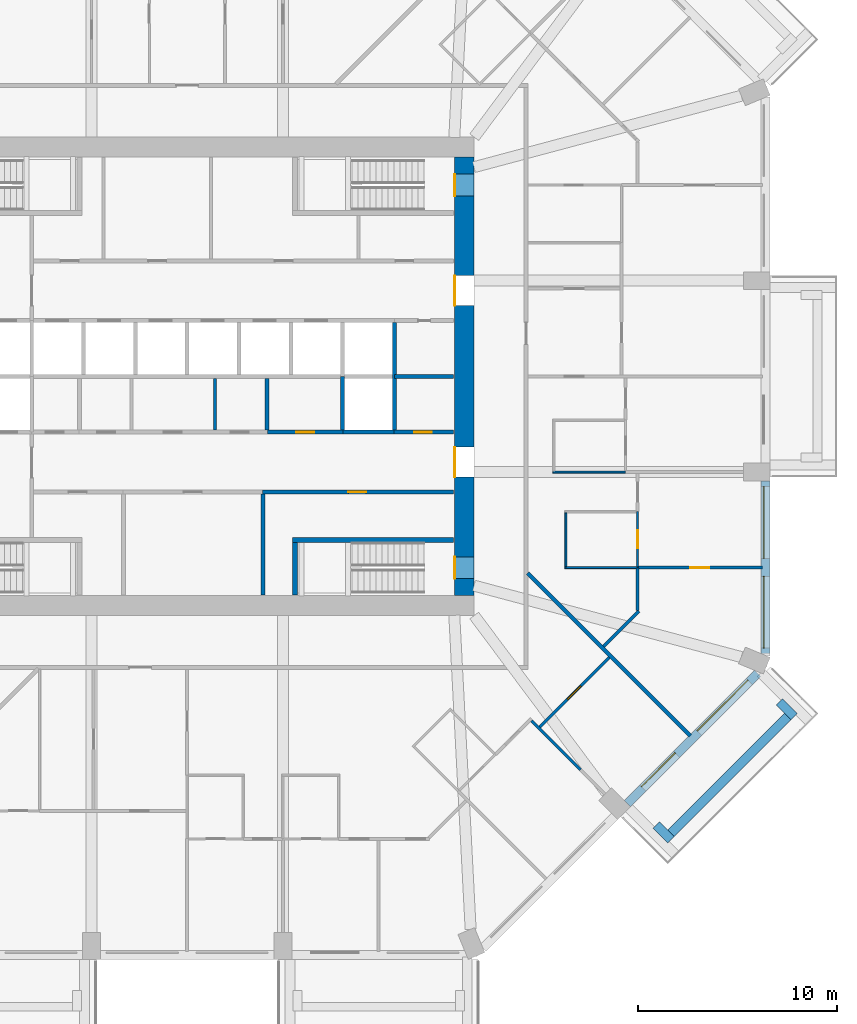
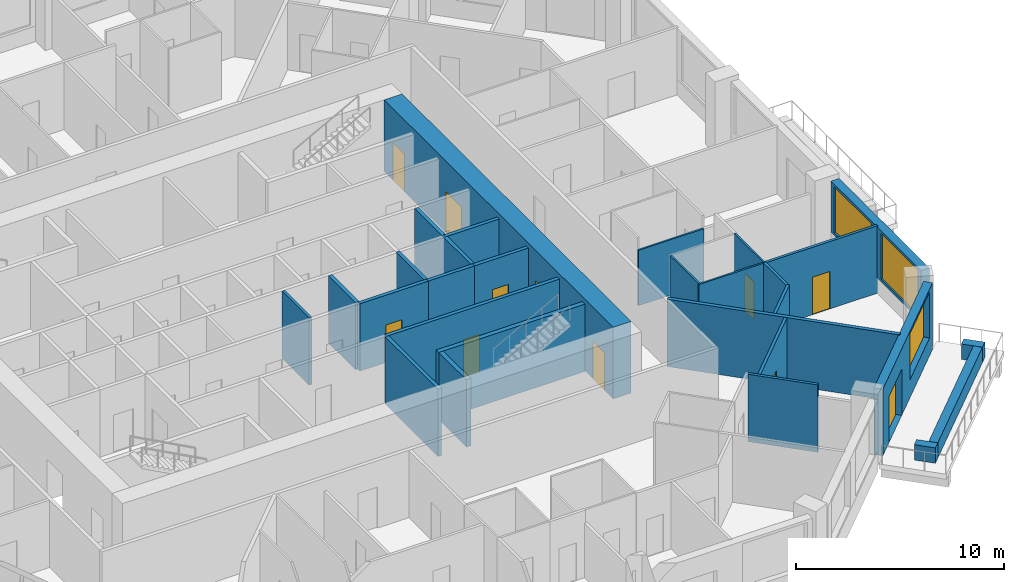
# One storey, part 6 of 13: 28 walls, 11 doors, 3 windows, 14 openings.
"""IFC4 building model written with IfcOpenShell, lengths in metres."""

from ifc_helpers import new_model, si_unit, direction, frame, frame_2d, origin, place, context, subcontext, project, spatial, rectangle, extrude, material, layer, layer_set, type_object, element, fill, save


model = new_model("IFC4")

# Units and contexts
model_context = context("Model", 3, precision=1e-05, world=origin(), true_north=direction((0.0, 1.0)))
body_context = subcontext(model_context, "Body", "Model", "MODEL_VIEW")
ifc_project = project(units=[si_unit("LENGTHUNIT", "METRE"), si_unit("AREAUNIT", "SQUARE_METRE"), si_unit("VOLUMEUNIT", "CUBIC_METRE"), si_unit("PLANEANGLEUNIT", "RADIAN"), si_unit("MASSUNIT", "GRAM", prefix="KILO")], contexts=[model_context])

# Site, building, storey
site_placement = place(None, origin())
site = spatial("IfcSite", under=ifc_project, at=site_placement, CompositionType="ELEMENT")
building_placement = place(site_placement, origin())
building = spatial("IfcBuilding", under=site, at=building_placement, Name="Msitu Wima Residences", CompositionType="ELEMENT")
storey_placement = place(building_placement, frame((0.0, 0.0, 75.89990234375)))
storey = spatial("IfcBuildingStorey", under=building, at=storey_placement, Name="L17", CompositionType="ELEMENT", Elevation=75.89990234375)

# Walls
ifc_material_1 = material(Name="Facing brick")
ifc_layer_1 = layer(ifc_material_1, 0.06494140625, Name="Facing brick")
ifc_material_2 = material(Name="Concrete C40/50", Category="concrete")
ifc_layer_2 = layer(ifc_material_2, 0.156005859375, Name="Concrete C40/50")
ifc_material_3 = material(Name="Waterproofing membrane")
ifc_layer_3 = layer(ifc_material_3, 0.00390625, Name="Waterproofing membrane")
ifc_material_4 = material(Name="Planting soil and planting")
ifc_layer_4 = layer(ifc_material_4, 0.22509765625, Name="Planting soil and planting")
ifc_layer_set_1 = layer_set([ifc_layer_1, ifc_layer_2, ifc_layer_3, ifc_layer_4], Name="Concrete C40/50")
wall_type_1 = type_object("IfcWallType", Name="Balcony planter PLANTER PL450", PredefinedType="USERDEFINED", material=ifc_layer_set_1)
wall_1_placement = place(storey_placement, frame((24.269287109375, -22.92578125, 0.0), z_axis=(0.0, 0.0, 1.0), x_axis=(0.707106781187, 0.707106781187, 0.0)))
element("IfcWall", 1, at=wall_1_placement, inside=storey, type_object=wall_type_1, Name="Balcony planter SE1 L17", ObjectType="PLANTER", PredefinedType="USERDEFINED", context=body_context, shape_type="SweptSolid", body=[
    extrude(rectangle(XDim=8.2822265625, YDim=0.449951171875, at=frame_2d((4.14111328125, 0.0))), origin(), (0.0, 0.0, 1.0), 0.900146484375),
])
for number, where, z_axis, x_axis, name in (
    (2, (23.52685546875, -22.50146484375, 0.0), (0.0, 0.0, 1.0), (0.706990528533, -0.707223014731, 0.0), "Balcony planter SE1 L17"),
    (3, (29.70166015625, -16.326904296875, 0.0), (0.0, 0.0, 1.0), (0.707106781187, -0.707106781187, 0.0), "Balcony planter SE1 L17"),
):
    element("IfcWall", number, at=place(storey_placement, frame(where, z_axis=z_axis, x_axis=x_axis)), inside=storey, type_object=wall_type_1, Name=name, ObjectType="PLANTER", PredefinedType="USERDEFINED", context=body_context, shape_type="SweptSolid", body=[
        extrude(rectangle(XDim=1.050048828125, YDim=0.449951171875, at=frame_2d((0.52490234375, 0.0))), origin(), (0.0, 0.0, 1.0), 0.900146484375),
    ])

# Wall, openings, windows
ifc_material_5 = material(Name="Brick (red buff mix)", Category="masonry")
ifc_layer_5 = layer(ifc_material_5, 0.449951171875)
ifc_layer_set_2 = layer_set([ifc_layer_5], Name="Brick (red buff mix)")
wall_type_2 = type_object("IfcWallType", Name="Brick infill wall BW450", PredefinedType="SOLIDWALL", material=ifc_layer_set_2)
wall_2_placement = place(storey_placement, frame((29.02490234375, -13.912841796875, 0.900146484375), z_axis=(0.0, 0.0, 1.0), x_axis=(0.0, 1.0, 0.0)))
wall_2 = element("IfcWall", 4, at=wall_2_placement, inside=storey, type_object=wall_type_2, Name="Brick infill wall L17 E0", PredefinedType="SOLIDWALL", context=body_context, shape_type="SweptSolid", body=[
    extrude(rectangle(XDim=8.662841796875, YDim=0.449951171875, at=frame_2d((4.33154296875, 0.0))), origin(), (0.0, 0.0, 1.0), 3.0),
])
opening_1_placement = place(wall_2_placement, frame((0.281494140625, 0.0, 0.14990234375)))
opening_1 = element("IfcOpeningElement", 5, at=opening_1_placement, cuts=wall_2, Name="Opening W16-17.001", PredefinedType="OPENING", context=body_context, shape_type="SweptSolid", body=[
    extrude(rectangle(XDim=3.60009765625, YDim=2.699951171875, at=frame_2d((1.800048828125, 1.35009765625))), frame((0.0, 0.23486328125, 0.0), z_axis=(0.0, -1.0, 0.0), x_axis=(1.0, 0.0, 0.0)), (0.0, 0.0, 1.0), 0.469970703125),
])
opening_2_placement = place(wall_2_placement, frame((4.781494140625, 0.0, 0.14990234375)))
opening_2 = element("IfcOpeningElement", 6, at=opening_2_placement, cuts=wall_2, Name="Opening W16-17.002", PredefinedType="OPENING", context=body_context, shape_type="SweptSolid", body=[
    extrude(rectangle(XDim=3.60009765625, YDim=2.699951171875, at=frame_2d((1.800048828125, 1.35009765625))), frame((0.0, 0.23486328125, 0.0), z_axis=(0.0, -1.0, 0.0), x_axis=(1.0, 0.0, 0.0)), (0.0, 0.0, 1.0), 0.469970703125),
])
ifc_material_6 = material(Name="Anodised aluminium, bronze finish, clear low-emissivity double glazing", Category="aluminium")
window_type = type_object("IfcWindowType", Name="Window W3600x2700", PartitioningType="DOUBLE_PANEL_VERTICAL", PredefinedType="WINDOW", material=ifc_material_6)
window_1_placement = place(opening_1_placement, origin())
window_1 = element("IfcWindow", 7, at=window_1_placement, inside=storey, type_object=window_type, Name="Window L17 E0.1", OverallHeight=2.699951171875, OverallWidth=3.60009765625, PartitioningType="SINGLE_PANEL", PredefinedType="WINDOW", context=body_context, shape_type="SweptSolid", body=[
    extrude(rectangle(XDim=3.60009765625, YDim=2.699951171875, at=frame_2d((1.800048828125, 1.35009765625))), frame((0.0, 0.135009765625, 0.0), z_axis=(0.0, -1.0, 0.0), x_axis=(1.0, 0.0, 0.0)), (0.0, 0.0, 1.0), 0.06005859375),
])
fill(opening_1, window_1)
window_2_placement = place(opening_2_placement, origin())
window_2 = element("IfcWindow", 8, at=window_2_placement, inside=storey, type_object=window_type, Name="Window L17 E0.2", OverallHeight=2.699951171875, OverallWidth=3.60009765625, PartitioningType="SINGLE_PANEL", PredefinedType="WINDOW", context=body_context, shape_type="SweptSolid", body=[
    extrude(rectangle(XDim=3.60009765625, YDim=2.699951171875, at=frame_2d((1.800048828125, 1.35009765625))), frame((0.0, 0.135009765625, 0.0), z_axis=(0.0, -1.0, 0.0), x_axis=(1.0, 0.0, 0.0)), (0.0, 0.0, 1.0), 0.06005859375),
])
fill(opening_2, window_2)

# Wall, openings, door, window
wall_3_placement = place(storey_placement, frame((22.077392578125, -21.44091796875, 0.0), z_axis=(0.0, 0.0, 1.0), x_axis=(0.707106781187, 0.707106781187, 0.0)))
wall_3 = element("IfcWall", 9, at=wall_3_placement, inside=storey, type_object=wall_type_2, Name="Brick infill wall L17 SE1", PredefinedType="SOLIDWALL", context=body_context, shape_type="SweptSolid", body=[
    extrude(rectangle(XDim=9.2451171875, YDim=0.449951171875, at=frame_2d((4.62255859375, 0.0))), origin(), (0.0, 0.0, 1.0), 3.900146484375),
])
opening_3_placement = place(wall_3_placement, frame((1.111328125, 0.0, 0.0)))
opening_3 = element("IfcOpeningElement", 10, at=opening_3_placement, cuts=wall_3, Name="Opening D16-17.008", PredefinedType="OPENING", context=body_context, shape_type="SweptSolid", body=[
    extrude(rectangle(XDim=2.39990234375, YDim=2.699951171875, at=frame_2d((1.199951171875, 1.35009765625))), frame((0.0, 0.23486328125, 0.0), z_axis=(0.0, -1.0, 0.0), x_axis=(1.0, 0.0, 0.0)), (0.0, 0.0, 1.0), 0.469970703125),
])
opening_4_placement = place(wall_3_placement, frame((5.072509765625, 0.0, 1.050048828125)))
opening_4 = element("IfcOpeningElement", 11, at=opening_4_placement, cuts=wall_3, Name="Opening W16-17.022", PredefinedType="OPENING", context=body_context, shape_type="SweptSolid", body=[
    extrude(rectangle(XDim=3.60009765625, YDim=2.699951171875, at=frame_2d((1.800048828125, 1.35009765625))), frame((0.0, 0.23486328125, 0.0), z_axis=(0.0, -1.0, 0.0), x_axis=(1.0, 0.0, 0.0)), (0.0, 0.0, 1.0), 0.469970703125),
])
door_type_1 = type_object("IfcDoorType", Name="Balcony door D2400x2700", OperationType="SLIDING_TO_LEFT", PredefinedType="DOOR", material=ifc_material_6)
door_1_placement = place(opening_3_placement, origin())
door_1 = element("IfcDoor", 12, at=door_1_placement, inside=storey, type_object=door_type_1, Name="Balcony door L17 SE1", OperationType="SINGLE_SWING_LEFT", OverallHeight=2.699951171875, OverallWidth=2.39990234375, PredefinedType="DOOR", context=body_context, shape_type="SweptSolid", body=[
    extrude(rectangle(XDim=2.39990234375, YDim=2.699951171875, at=frame_2d((1.199951171875, 1.35009765625))), frame((0.0, 0.1298828125, 0.0), z_axis=(0.0, -1.0, 0.0), x_axis=(1.0, 0.0, 0.0)), (0.0, 0.0, 1.0), 0.050048828125),
])
fill(opening_3, door_1)
window_3_placement = place(opening_4_placement, origin())
window_3 = element("IfcWindow", 13, at=window_3_placement, inside=storey, type_object=window_type, Name="Window L17 SE1.2", OverallHeight=2.699951171875, OverallWidth=3.60009765625, PartitioningType="SINGLE_PANEL", PredefinedType="WINDOW", context=body_context, shape_type="SweptSolid", body=[
    extrude(rectangle(XDim=3.60009765625, YDim=2.699951171875, at=frame_2d((1.800048828125, 1.35009765625))), frame((0.0, 0.135009765625, 0.0), z_axis=(0.0, -1.0, 0.0), x_axis=(1.0, 0.0, 0.0)), (0.0, 0.0, 1.0), 0.06005859375),
])
fill(opening_4, window_3)

# Wall, openings, doors
ifc_material_7 = material(Name="Concrete C80/95", Category="concrete")
ifc_layer_6 = layer(ifc_material_7, 1.0)
ifc_layer_set_3 = layer_set([ifc_layer_6], Name="Concrete C80/95")
wall_type_3 = type_object("IfcWallType", Name="Core wall CW1000 C80/95", PredefinedType="SHEAR", material=ifc_layer_set_3)
wall_4_placement = place(storey_placement, frame((13.89990234375, -11.0, 0.0), z_axis=(0.0, 0.0, 1.0), x_axis=(0.0, 1.0, 0.0)))
wall_4 = element("IfcWall", 14, at=wall_4_placement, inside=storey, type_object=wall_type_3, Name="Core wall", PredefinedType="SHEAR", context=body_context, shape_type="SweptSolid", body=[
    extrude(rectangle(XDim=22.0, YDim=1.0, at=frame_2d((11.0, 0.0))), origin(), (0.0, 0.0, 1.0), 4.2001953125),
])
opening_5_placement = place(wall_4_placement, frame((20.050048828125, 0.0, 0.0)))
opening_5 = element("IfcOpeningElement", 15, at=opening_5_placement, cuts=wall_4, Name="Opening D16-17.040", PredefinedType="OPENING", context=body_context, shape_type="SweptSolid", body=[
    extrude(rectangle(XDim=1.10009765625, YDim=2.199951171875, at=frame_2d((0.550048828125, 1.10009765625))), frame((0.0, 0.510009765625, 0.0), z_axis=(0.0, -1.0, 0.0), x_axis=(1.0, 0.0, 0.0)), (0.0, 0.0, 1.0), 1.02001953125),
])
opening_6_placement = place(wall_4_placement, frame((0.85009765625, 0.0, 0.0)))
opening_6 = element("IfcOpeningElement", 16, at=opening_6_placement, cuts=wall_4, Name="Opening D16-17.041", PredefinedType="OPENING", context=body_context, shape_type="SweptSolid", body=[
    extrude(rectangle(XDim=1.10009765625, YDim=2.199951171875, at=frame_2d((0.550048828125, 1.10009765625))), frame((0.0, 0.510009765625, 0.0), z_axis=(0.0, -1.0, 0.0), x_axis=(1.0, 0.0, 0.0)), (0.0, 0.0, 1.0), 1.02001953125),
])
opening_7_placement = place(wall_4_placement, frame((14.550048828125, 0.0, 0.0)))
opening_7 = element("IfcOpeningElement", 17, at=opening_7_placement, cuts=wall_4, Name="Opening D16-17.027", PredefinedType="OPENING", context=body_context, shape_type="SweptSolid", body=[
    extrude(rectangle(XDim=1.5, YDim=2.39990234375, at=frame_2d((0.75, 1.199951171875))), frame((0.0, 0.510009765625, 0.0), z_axis=(0.0, -1.0, 0.0), x_axis=(1.0, 0.0, 0.0)), (0.0, 0.0, 1.0), 1.02001953125),
])
opening_8_placement = place(wall_4_placement, frame((5.949951171875, 0.0, 0.0)))
opening_8 = element("IfcOpeningElement", 18, at=opening_8_placement, cuts=wall_4, Name="Opening D16-17.028", PredefinedType="OPENING", context=body_context, shape_type="SweptSolid", body=[
    extrude(rectangle(XDim=1.5, YDim=2.39990234375, at=frame_2d((0.75, 1.199951171875))), frame((0.0, 0.510009765625, 0.0), z_axis=(0.0, -1.0, 0.0), x_axis=(1.0, 0.0, 0.0)), (0.0, 0.0, 1.0), 1.02001953125),
])
ifc_material_8 = material(Name="Steel framed glazed door, fire resisting", Category="steel")
door_type_2 = type_object("IfcDoorType", Name="Lobby door D07 1500x2400", OperationType="DOUBLE_DOOR_SINGLE_SWING", PredefinedType="DOOR", material=ifc_material_8)
door_2_placement = place(opening_7_placement, origin())
door_2 = element("IfcDoor", 19, at=door_2_placement, inside=storey, type_object=door_type_2, Name="Lobby door", OperationType="DOUBLE_DOOR_SINGLE_SWING", OverallHeight=2.39990234375, OverallWidth=1.5, PredefinedType="DOOR", context=body_context, shape_type="SweptSolid", body=[
    extrude(rectangle(XDim=1.5, YDim=2.39990234375, at=frame_2d((0.75, 1.199951171875))), frame((0.0, 0.4951171875, 0.0), z_axis=(0.0, -1.0, 0.0), x_axis=(1.0, 0.0, 0.0)), (0.0, 0.0, 1.0), 0.050048828125),
])
fill(opening_7, door_2)
door_3_placement = place(opening_8_placement, origin())
door_3 = element("IfcDoor", 20, at=door_3_placement, inside=storey, type_object=door_type_2, Name="Lobby door", OperationType="DOUBLE_DOOR_SINGLE_SWING", OverallHeight=2.39990234375, OverallWidth=1.5, PredefinedType="DOOR", context=body_context, shape_type="SweptSolid", body=[
    extrude(rectangle(XDim=1.5, YDim=2.39990234375, at=frame_2d((0.75, 1.199951171875))), frame((0.0, 0.4951171875, 0.0), z_axis=(0.0, -1.0, 0.0), x_axis=(1.0, 0.0, 0.0)), (0.0, 0.0, 1.0), 0.050048828125),
])
fill(opening_8, door_3)
ifc_material_9 = material(Name="Steel door, fire resisting, panic bar", Category="steel")
door_type_3 = type_object("IfcDoorType", Name="Stair door D06 1100x2200", OperationType="SINGLE_SWING_LEFT", PredefinedType="DOOR", material=ifc_material_9)
door_4_placement = place(opening_5_placement, origin())
door_4 = element("IfcDoor", 21, at=door_4_placement, inside=storey, type_object=door_type_3, Name="Stair door", OperationType="SINGLE_SWING_LEFT", OverallHeight=2.199951171875, OverallWidth=1.10009765625, PredefinedType="DOOR", context=body_context, shape_type="SweptSolid", body=[
    extrude(rectangle(XDim=1.10009765625, YDim=2.199951171875, at=frame_2d((0.550048828125, 1.10009765625))), frame((0.0, 0.4951171875, 0.0), z_axis=(0.0, -1.0, 0.0), x_axis=(1.0, 0.0, 0.0)), (0.0, 0.0, 1.0), 0.050048828125),
])
fill(opening_5, door_4)
door_5_placement = place(opening_6_placement, origin())
door_5 = element("IfcDoor", 22, at=door_5_placement, inside=storey, type_object=door_type_3, Name="Stair door", OperationType="SINGLE_SWING_RIGHT", OverallHeight=2.199951171875, OverallWidth=1.10009765625, PredefinedType="DOOR", context=body_context, shape_type="SweptSolid", body=[
    extrude(rectangle(XDim=1.10009765625, YDim=2.199951171875, at=frame_2d((0.550048828125, 1.10009765625))), frame((0.0, 0.4951171875, 0.0), z_axis=(0.0, -1.0, 0.0), x_axis=(1.0, 0.0, 0.0)), (0.0, 0.0, 1.0), 0.050048828125),
])
fill(opening_6, door_5)

# Wall, opening, door
ifc_material_10 = material(Name="Plaster")
ifc_layer_7 = layer(ifc_material_10, 0.011962890625, Name="Plaster")
ifc_material_11 = material(Name="Concrete blockwork", Category="masonry")
ifc_layer_8 = layer(ifc_material_11, 0.176025390625, Name="Concrete blockwork")
ifc_layer_9 = layer(ifc_material_10, 0.011962890625, Name="Plaster")
ifc_layer_set_4 = layer_set([ifc_layer_7, ifc_layer_8, ifc_layer_9], Name="Concrete blockwork")
wall_type_4 = type_object("IfcWallType", Name="Corridor wall FW200", PredefinedType="PARTITIONING", material=ifc_layer_set_4)
wall_5_placement = place(storey_placement, frame((3.780029296875, -5.800048828125, 0.0), z_axis=(0.0, 0.0, 1.0), x_axis=(1.0, 0.0, 0.0)))
wall_5 = element("IfcWall", 23, at=wall_5_placement, inside=storey, type_object=wall_type_4, Name="Corridor wall", PredefinedType="PARTITIONING", context=body_context, shape_type="SweptSolid", body=[
    extrude(rectangle(XDim=9.590087890625, YDim=0.199951171875, at=frame_2d((4.794921875, 0.0))), origin(), (0.0, 0.0, 1.0), 3.9501953125),
])
opening_9_placement = place(wall_5_placement, frame((4.300048828125, 0.0, 0.0)))
opening_9 = element("IfcOpeningElement", 24, at=opening_9_placement, cuts=wall_5, Name="Opening D16-17.026", PredefinedType="OPENING", context=body_context, shape_type="SweptSolid", body=[
    extrude(rectangle(XDim=0.89990234375, YDim=2.199951171875, at=frame_2d((0.449951171875, 1.10009765625))), frame((0.0, 0.10986328125, 0.0), z_axis=(0.0, -1.0, 0.0), x_axis=(1.0, 0.0, 0.0)), (0.0, 0.0, 1.0), 0.219970703125),
])
ifc_material_12 = material(Name="Timber flush door", Category="wood")
door_type_4 = type_object("IfcDoorType", Name="Service door D05 900x2200", OperationType="SINGLE_SWING_LEFT", PredefinedType="DOOR", material=ifc_material_12)
door_6_placement = place(opening_9_placement, origin())
door_6 = element("IfcDoor", 25, at=door_6_placement, inside=storey, type_object=door_type_4, Name="Service door", OperationType="SINGLE_SWING_RIGHT", OverallHeight=2.199951171875, OverallWidth=0.89990234375, PredefinedType="DOOR", context=body_context, shape_type="SweptSolid", body=[
    extrude(rectangle(XDim=0.89990234375, YDim=2.199951171875, at=frame_2d((0.449951171875, 1.10009765625))), frame((0.0, 0.02490234375, 0.0), z_axis=(0.0, -1.0, 0.0), x_axis=(1.0, 0.0, 0.0)), (0.0, 0.0, 1.0), 0.050048828125),
])
fill(opening_9, door_6)

# Walls
ifc_layer_10 = layer(ifc_material_10, 0.011962890625, Name="Plaster")
ifc_layer_11 = layer(ifc_material_11, 0.1259765625, Name="Concrete blockwork")
ifc_layer_12 = layer(ifc_material_10, 0.011962890625, Name="Plaster")
ifc_layer_set_5 = layer_set([ifc_layer_10, ifc_layer_11, ifc_layer_12], Name="Concrete blockwork")
wall_type_5 = type_object("IfcWallType", Name="Partition PW150", PredefinedType="PARTITIONING", material=ifc_layer_set_5)
wall_6_placement = place(storey_placement, frame((1.39990234375, -2.699951171875, 0.0), z_axis=(0.0, 0.0, 1.0), x_axis=(0.0, 1.0, 0.0)))
element("IfcWall", 26, at=wall_6_placement, inside=storey, type_object=wall_type_5, Name="Partition", PredefinedType="PARTITIONING", context=body_context, shape_type="SweptSolid", body=[
    extrude(rectangle(XDim=2.599853515625, YDim=0.14990234375, at=frame_2d((1.2998046875, 0.0))), origin(), (0.0, 0.0, 1.0), 3.9501953125),
])
wall_7_placement = place(storey_placement, frame((17.26904296875, -17.26904296875, 0.0), z_axis=(0.0, 0.0, 1.0), x_axis=(0.707106781187, -0.707106781187, 0.0)))
element("IfcWall", 27, at=wall_7_placement, inside=storey, type_object=wall_type_5, Name="Partition", PredefinedType="PARTITIONING", context=body_context, shape_type="SweptSolid", body=[
    extrude(rectangle(XDim=3.4765625, YDim=0.14990234375, at=frame_2d((1.73828125, 0.0))), origin(), (0.0, 0.0, 1.0), 3.9501953125),
])

# Wall, opening, door
wall_8_placement = place(storey_placement, frame((17.693115234375, -17.587158203125, 0.0), z_axis=(0.0, 0.0, 1.0), x_axis=(0.707106781187, 0.707106781187, 0.0)))
wall_8 = element("IfcWall", 28, at=wall_8_placement, inside=storey, type_object=wall_type_5, Name="Partition", PredefinedType="PARTITIONING", context=body_context, shape_type="SweptSolid", body=[
    extrude(rectangle(XDim=4.916259765625, YDim=0.14990234375, at=frame_2d((2.4580078125, 0.0))), origin(), (0.0, 0.0, 1.0), 3.9501953125),
])
opening_10_placement = place(wall_8_placement, frame((1.949951171875, 0.0, 0.0)))
opening_10 = element("IfcOpeningElement", 29, at=opening_10_placement, cuts=wall_8, Name="Opening D16-17.062", PredefinedType="OPENING", context=body_context, shape_type="SweptSolid", body=[
    extrude(rectangle(XDim=0.949951171875, YDim=2.199951171875, at=frame_2d((0.47509765625, 1.10009765625))), frame((0.0, 0.0849609375, 0.0), z_axis=(0.0, -1.0, 0.0), x_axis=(1.0, 0.0, 0.0)), (0.0, 0.0, 1.0), 0.169921875),
])
door_type_5 = type_object("IfcDoorType", Name="Room door D12 950x2200", OperationType="SINGLE_SWING_LEFT", PredefinedType="DOOR", material=ifc_material_12)
door_7_placement = place(opening_10_placement, origin())
door_7 = element("IfcDoor", 30, at=door_7_placement, inside=storey, type_object=door_type_5, Name="Room door", OperationType="SINGLE_SWING_RIGHT", OverallHeight=2.199951171875, OverallWidth=0.949951171875, PredefinedType="DOOR", context=body_context, shape_type="SweptSolid", body=[
    extrude(rectangle(XDim=0.949951171875, YDim=2.199951171875, at=frame_2d((0.47509765625, 1.10009765625))), frame((0.0, 0.02490234375, 0.0), z_axis=(0.0, -1.0, 0.0), x_axis=(1.0, 0.0, 0.0)), (0.0, 0.0, 1.0), 0.050048828125),
])
fill(opening_10, door_7)

# Wall
wall_9_placement = place(storey_placement, frame((20.88671875, -13.545166015625, 0.0), z_axis=(0.0, 0.0, 1.0), x_axis=(0.707106781187, 0.707106781187, 0.0)))
element("IfcWall", 31, at=wall_9_placement, inside=storey, type_object=wall_type_5, Name="Partition", PredefinedType="PARTITIONING", context=body_context, shape_type="SweptSolid", body=[
    extrude(rectangle(XDim=2.498046875, YDim=0.14990234375, at=frame_2d((1.2490234375, 0.0))), origin(), (0.0, 0.0, 1.0), 3.9501953125),
])

# Wall, opening, door
wall_10_placement = place(storey_placement, frame((22.580078125, -9.60009765625, 0.0), z_axis=(0.0, 0.0, 1.0), x_axis=(1.0, 0.0, 0.0)))
wall_10 = element("IfcWall", 32, at=wall_10_placement, inside=storey, type_object=wall_type_5, Name="Partition", PredefinedType="PARTITIONING", context=body_context, shape_type="SweptSolid", body=[
    extrude(rectangle(XDim=6.27490234375, YDim=0.14990234375, at=frame_2d((3.137451171875, 0.0))), origin(), (0.0, 0.0, 1.0), 3.9501953125),
])
opening_11_placement = place(wall_10_placement, frame((2.64990234375, 0.0, 0.0)))
opening_11 = element("IfcOpeningElement", 33, at=opening_11_placement, cuts=wall_10, Name="Opening D16-17.084", PredefinedType="OPENING", context=body_context, shape_type="SweptSolid", body=[
    extrude(rectangle(XDim=0.949951171875, YDim=2.199951171875, at=frame_2d((0.47509765625, 1.10009765625))), frame((0.0, 0.0849609375, 0.0), z_axis=(0.0, -1.0, 0.0), x_axis=(1.0, 0.0, 0.0)), (0.0, 0.0, 1.0), 0.169921875),
])
door_8_placement = place(opening_11_placement, origin())
door_8 = element("IfcDoor", 34, at=door_8_placement, inside=storey, type_object=door_type_5, Name="Room door", OperationType="SINGLE_SWING_RIGHT", OverallHeight=2.199951171875, OverallWidth=0.949951171875, PredefinedType="DOOR", context=body_context, shape_type="SweptSolid", body=[
    extrude(rectangle(XDim=0.949951171875, YDim=2.199951171875, at=frame_2d((0.47509765625, 1.10009765625))), frame((0.0, 0.02490234375, 0.0), z_axis=(0.0, -1.0, 0.0), x_axis=(1.0, 0.0, 0.0)), (0.0, 0.0, 1.0), 0.050048828125),
])
fill(opening_11, door_8)

# Walls
wall_11_placement = place(storey_placement, frame((22.60009765625, -11.7568359375, 0.0), z_axis=(0.0, 0.0, 1.0), x_axis=(0.0, 1.0, 0.0)))
element("IfcWall", 35, at=wall_11_placement, inside=storey, type_object=wall_type_5, Name="Partition", PredefinedType="PARTITIONING", context=body_context, shape_type="SweptSolid", body=[
    extrude(rectangle(XDim=2.13671875, YDim=0.14990234375, at=frame_2d((1.068359375, 0.0))), origin(), (0.0, 0.0, 1.0), 3.9501953125),
])
ifc_layer_13 = layer(ifc_material_10, 0.011962890625, Name="Plaster")
ifc_material_13 = material(Name="Dense concrete blockwork", Category="masonry")
ifc_layer_14 = layer(ifc_material_13, 0.176025390625, Name="Dense concrete blockwork")
ifc_layer_15 = layer(ifc_material_10, 0.011962890625, Name="Plaster")
ifc_layer_set_6 = layer_set([ifc_layer_13, ifc_layer_14, ifc_layer_15], Name="Dense concrete blockwork")
wall_type_6 = type_object("IfcWallType", Name="Party wall PW200", PredefinedType="PARTITIONING", material=ifc_layer_set_6)
wall_12_placement = place(storey_placement, frame((17.07080078125, -9.87060546875, 0.0), z_axis=(0.0, 0.0, 1.0), x_axis=(0.707096213553, -0.707117348662, 0.0)))
element("IfcWall", 36, at=wall_12_placement, inside=storey, type_object=wall_type_6, Name="Party wall", PredefinedType="PARTITIONING", context=body_context, shape_type="SweptSolid", body=[
    extrude(rectangle(XDim=11.551513671875, YDim=0.199951171875, at=frame_2d((5.77587890625, 0.0))), origin(), (0.0, 0.0, 1.0), 3.9501953125),
])
ifc_layer_16 = layer(ifc_material_10, 0.011962890625, Name="Plaster")
ifc_material_14 = material(Name="Reinforced concrete blockwork", Category="masonry")
ifc_layer_17 = layer(ifc_material_14, 0.176025390625, Name="Reinforced concrete blockwork")
ifc_layer_18 = layer(ifc_material_10, 0.011962890625, Name="Plaster")
ifc_layer_set_7 = layer_set([ifc_layer_16, ifc_layer_17, ifc_layer_18], Name="Reinforced concrete blockwork")
wall_type_7 = type_object("IfcWallType", Name="Plant and riser wall PL200", PredefinedType="PARTITIONING", material=ifc_layer_set_7)
wall_13_placement = place(storey_placement, frame((3.800048828125, -10.969970703125, 0.0), z_axis=(0.0, 0.0, 1.0), x_axis=(0.0, 1.0, 0.0)))
element("IfcWall", 37, at=wall_13_placement, inside=storey, type_object=wall_type_7, Name="Plant and riser wall", PredefinedType="PARTITIONING", context=body_context, shape_type="SweptSolid", body=[
    extrude(rectangle(XDim=5.070068359375, YDim=0.199951171875, at=frame_2d((2.53515625, 0.0))), origin(), (0.0, 0.0, 1.0), 3.9501953125),
])

# Wall, opening, door
wall_14_placement = place(storey_placement, frame((4.02001953125, -2.800048828125, 0.0), z_axis=(0.0, 0.0, 1.0), x_axis=(1.0, 0.0, 0.0)))
wall_14 = element("IfcWall", 38, at=wall_14_placement, inside=storey, type_object=wall_type_7, Name="Plant and riser wall", PredefinedType="PARTITIONING", context=body_context, shape_type="SweptSolid", body=[
    extrude(rectangle(XDim=3.800048828125, YDim=0.199951171875, at=frame_2d((1.89990234375, 0.0))), origin(), (0.0, 0.0, 1.0), 3.9501953125),
])
opening_12_placement = place(wall_14_placement, frame((1.449951171875, 0.0, 0.0)))
opening_12 = element("IfcOpeningElement", 39, at=opening_12_placement, cuts=wall_14, Name="Opening D16-17.035", PredefinedType="OPENING", context=body_context, shape_type="SweptSolid", body=[
    extrude(rectangle(XDim=0.89990234375, YDim=2.199951171875, at=frame_2d((0.449951171875, 1.10009765625))), frame((0.0, 0.10986328125, 0.0), z_axis=(0.0, -1.0, 0.0), x_axis=(1.0, 0.0, 0.0)), (0.0, 0.0, 1.0), 0.219970703125),
])
door_9_placement = place(opening_12_placement, origin())
door_9 = element("IfcDoor", 40, at=door_9_placement, inside=storey, type_object=door_type_4, Name="Service door", OperationType="SINGLE_SWING_RIGHT", OverallHeight=2.199951171875, OverallWidth=0.89990234375, PredefinedType="DOOR", context=body_context, shape_type="SweptSolid", body=[
    extrude(rectangle(XDim=0.89990234375, YDim=2.199951171875, at=frame_2d((0.449951171875, 1.10009765625))), frame((0.0, 0.02490234375, 0.0), z_axis=(0.0, -1.0, 0.0), x_axis=(1.0, 0.0, 0.0)), (0.0, 0.0, 1.0), 0.050048828125),
])
fill(opening_12, door_9)

# Wall
wall_15_placement = place(storey_placement, frame((4.0, -2.699951171875, 0.0), z_axis=(0.0, 0.0, 1.0), x_axis=(0.0, 1.0, 0.0)))
element("IfcWall", 41, at=wall_15_placement, inside=storey, type_object=wall_type_7, Name="Plant and riser wall", PredefinedType="PARTITIONING", context=body_context, shape_type="SweptSolid", body=[
    extrude(rectangle(XDim=2.599853515625, YDim=0.199951171875, at=frame_2d((1.2998046875, 0.0))), origin(), (0.0, 0.0, 1.0), 3.9501953125),
])

# Wall, opening, door
wall_16_placement = place(storey_placement, frame((10.3798828125, -2.800048828125, 0.0), z_axis=(0.0, 0.0, 1.0), x_axis=(1.0, 0.0, 0.0)))
wall_16 = element("IfcWall", 42, at=wall_16_placement, inside=storey, type_object=wall_type_7, Name="Plant and riser wall", PredefinedType="PARTITIONING", context=body_context, shape_type="SweptSolid", body=[
    extrude(rectangle(XDim=2.990234375, YDim=0.199951171875, at=frame_2d((1.4951171875, 0.0))), origin(), (0.0, 0.0, 1.0), 3.9501953125),
])
opening_13_placement = place(wall_16_placement, frame((1.0, 0.0, 0.0)))
opening_13 = element("IfcOpeningElement", 43, at=opening_13_placement, cuts=wall_16, Name="Opening D16-17.015", PredefinedType="OPENING", context=body_context, shape_type="SweptSolid", body=[
    extrude(rectangle(XDim=0.89990234375, YDim=2.199951171875, at=frame_2d((0.449951171875, 1.10009765625))), frame((0.0, 0.10986328125, 0.0), z_axis=(0.0, -1.0, 0.0), x_axis=(1.0, 0.0, 0.0)), (0.0, 0.0, 1.0), 0.219970703125),
])
door_10_placement = place(opening_13_placement, origin())
door_10 = element("IfcDoor", 44, at=door_10_placement, inside=storey, type_object=door_type_4, Name="Service door", OperationType="SINGLE_SWING_LEFT", OverallHeight=2.199951171875, OverallWidth=0.89990234375, PredefinedType="DOOR", context=body_context, shape_type="SweptSolid", body=[
    extrude(rectangle(XDim=0.89990234375, YDim=2.199951171875, at=frame_2d((0.449951171875, 1.10009765625))), frame((0.0, 0.02490234375, 0.0), z_axis=(0.0, -1.0, 0.0), x_axis=(1.0, 0.0, 0.0)), (0.0, 0.0, 1.0), 0.050048828125),
])
fill(opening_13, door_10)

# Walls
wall_17_placement = place(storey_placement, frame((10.39990234375, 0.0, 0.0), z_axis=(0.0, 0.0, 1.0), x_axis=(1.0, 0.0, 0.0)))
element("IfcWall", 45, at=wall_17_placement, inside=storey, type_object=wall_type_7, Name="Plant and riser wall", PredefinedType="PARTITIONING", context=body_context, shape_type="SweptSolid", body=[
    extrude(rectangle(XDim=2.97021484375, YDim=0.199951171875, at=frame_2d((1.485107421875, 0.0))), origin(), (0.0, 0.0, 1.0), 3.9501953125),
])
ifc_material_15 = material(Name="Fire-rated board")
ifc_layer_19 = layer(ifc_material_15, 0.02490234375, Name="Fire-rated board")
ifc_material_16 = material(Name="Light-gauge stud framing with mineral wool")
ifc_layer_20 = layer(ifc_material_16, 0.14990234375, Name="Light-gauge stud framing with mineral wool")
ifc_layer_21 = layer(ifc_material_15, 0.02490234375, Name="Fire-rated board")
ifc_layer_set_8 = layer_set([ifc_layer_19, ifc_layer_20, ifc_layer_21], Name="Light-gauge stud framing with mineral wool")
wall_type_8 = type_object("IfcWallType", Name="Shaft wall SH200", PredefinedType="PARTITIONING", material=ifc_layer_set_8)
wall_18_placement = place(storey_placement, frame((7.800048828125, -2.699951171875, 0.0), z_axis=(0.0, 0.0, 1.0), x_axis=(0.0, 1.0, 0.0)))
element("IfcWall", 46, at=wall_18_placement, inside=storey, type_object=wall_type_8, Name="Shaft wall", PredefinedType="PARTITIONING", context=body_context, shape_type="SweptSolid", body=[
    extrude(rectangle(XDim=2.699951171875, YDim=0.199951171875, at=frame_2d((1.35009765625, 0.0))), origin(), (0.0, 0.0, 1.0), 3.9501953125),
])
wall_19_placement = place(storey_placement, frame((7.820068359375, -2.800048828125, 0.0), z_axis=(0.0, 0.0, 1.0), x_axis=(1.0, 0.0, 0.0)))
element("IfcWall", 47, at=wall_19_placement, inside=storey, type_object=wall_type_8, Name="Shaft wall", PredefinedType="PARTITIONING", context=body_context, shape_type="SweptSolid", body=[
    extrude(rectangle(XDim=2.559814453125, YDim=0.199951171875, at=frame_2d((1.27978515625, 0.0))), origin(), (0.0, 0.0, 1.0), 3.9501953125),
])
wall_20_placement = place(storey_placement, frame((10.39990234375, -2.699951171875, 0.0), z_axis=(0.0, 0.0, 1.0), x_axis=(0.0, 1.0, 0.0)))
element("IfcWall", 48, at=wall_20_placement, inside=storey, type_object=wall_type_8, Name="Shaft wall", PredefinedType="PARTITIONING", context=body_context, shape_type="SweptSolid", body=[
    extrude(rectangle(XDim=5.39990234375, YDim=0.199951171875, at=frame_2d((2.699951171875, 0.0))), origin(), (0.0, 0.0, 1.0), 3.9501953125),
])
ifc_material_17 = material(Name="Concrete C50/60", Category="concrete")
ifc_layer_22 = layer(ifc_material_17, 0.25)
ifc_layer_set_9 = layer_set([ifc_layer_22], Name="Concrete C50/60")
wall_type_9 = type_object("IfcWallType", Name="Stair enclosure wall SW250", PredefinedType="SHEAR", material=ifc_layer_set_9)
wall_21_placement = place(storey_placement, frame((5.39990234375, -10.969970703125, 0.0), z_axis=(0.0, 0.0, 1.0), x_axis=(0.0, 1.0, 0.0)))
element("IfcWall", 49, at=wall_21_placement, inside=storey, type_object=wall_type_9, Name="Stair enclosure wall", PredefinedType="SHEAR", context=body_context, shape_type="SweptSolid", body=[
    extrude(rectangle(XDim=2.64501953125, YDim=0.25, at=frame_2d((1.322509765625, 0.0))), origin(), (0.0, 0.0, 1.0), 3.9501953125),
])
wall_22_placement = place(storey_placement, frame((5.27490234375, -8.199951171875, 0.0), z_axis=(0.0, 0.0, 1.0), x_axis=(1.0, 0.0, 0.0)))
element("IfcWall", 50, at=wall_22_placement, inside=storey, type_object=wall_type_9, Name="Stair enclosure wall", PredefinedType="SHEAR", context=body_context, shape_type="SweptSolid", body=[
    extrude(rectangle(XDim=8.09521484375, YDim=0.25, at=frame_2d((4.047607421875, 0.0))), origin(), (0.0, 0.0, 1.0), 3.9501953125),
])
ifc_material_18 = material(Name="Ceramic tiles")
ifc_layer_23 = layer(ifc_material_18, 0.008056640625, Name="Ceramic tiles")
ifc_material_19 = material(Name="Moisture-resistant board")
ifc_layer_24 = layer(ifc_material_19, 0.012451171875, Name="Moisture-resistant board")
ifc_layer_25 = layer(ifc_material_16, 0.06689453125, Name="Light-gauge stud framing with mineral wool")
ifc_layer_26 = layer(ifc_material_19, 0.012451171875, Name="Moisture-resistant board")
ifc_layer_set_10 = layer_set([ifc_layer_23, ifc_layer_24, ifc_layer_25, ifc_layer_26], Name="Light-gauge stud framing with mineral wool")
wall_type_10 = type_object("IfcWallType", Name="Wet wall PW100", PredefinedType="PARTITIONING", material=ifc_layer_set_10)
wall_23_placement = place(storey_placement, frame((18.35009765625, -4.800048828125, 0.0), z_axis=(0.0, 0.0, 1.0), x_axis=(1.0, 0.0, 0.0)))
element("IfcWall", 51, at=wall_23_placement, inside=storey, type_object=wall_type_10, Name="Wet wall", PredefinedType="PARTITIONING", context=body_context, shape_type="SweptSolid", body=[
    extrude(rectangle(XDim=3.6298828125, YDim=0.10009765625, at=frame_2d((1.81494140625, 0.0))), origin(), (0.0, 0.0, 1.0), 3.25),
])
wall_24_placement = place(storey_placement, frame((19.0, -9.550048828125, 0.0), z_axis=(0.0, 0.0, 1.0), x_axis=(0.0, 1.0, 0.0)))
element("IfcWall", 52, at=wall_24_placement, inside=storey, type_object=wall_type_10, Name="Wet wall", PredefinedType="PARTITIONING", context=body_context, shape_type="SweptSolid", body=[
    extrude(rectangle(XDim=2.699951171875, YDim=0.10009765625, at=frame_2d((1.35009765625, 0.0))), origin(), (0.0, 0.0, 1.0), 3.9501953125),
])
wall_25_placement = place(storey_placement, frame((18.949951171875, -9.60009765625, 0.0), z_axis=(0.0, 0.0, 1.0), x_axis=(1.0, 0.0, 0.0)))
element("IfcWall", 53, at=wall_25_placement, inside=storey, type_object=wall_type_10, Name="Wet wall", PredefinedType="PARTITIONING", context=body_context, shape_type="SweptSolid", body=[
    extrude(rectangle(XDim=3.630126953125, YDim=0.10009765625, at=frame_2d((1.81494140625, 0.0))), origin(), (0.0, 0.0, 1.0), 3.9501953125),
])

# Wall, opening, door
wall_26_placement = place(storey_placement, frame((22.60009765625, -9.6201171875, 0.0), z_axis=(0.0, 0.0, 1.0), x_axis=(0.0, 1.0, 0.0)))
wall_26 = element("IfcWall", 54, at=wall_26_placement, inside=storey, type_object=wall_type_10, Name="Wet wall", PredefinedType="PARTITIONING", context=body_context, shape_type="SweptSolid", body=[
    extrude(rectangle(XDim=2.840087890625, YDim=0.10009765625, at=frame_2d((1.419921875, 0.0))), origin(), (0.0, 0.0, 1.0), 3.9501953125),
])
opening_14_placement = place(wall_26_placement, frame((1.0, 0.0, 0.0)))
opening_14 = element("IfcOpeningElement", 55, at=opening_14_placement, cuts=wall_26, Name="Opening D16-17.080", PredefinedType="OPENING", context=body_context, shape_type="SweptSolid", body=[
    extrude(rectangle(XDim=0.89990234375, YDim=2.199951171875, at=frame_2d((0.449951171875, 1.10009765625))), frame((0.0, 0.06005859375, 0.0), z_axis=(0.0, -1.0, 0.0), x_axis=(1.0, 0.0, 0.0)), (0.0, 0.0, 1.0), 0.1201171875),
])
ifc_material_20 = material(Name="Timber flush door, moisture resistant", Category="wood")
door_type_6 = type_object("IfcDoorType", Name="Bathroom door D03 900x2200", OperationType="SINGLE_SWING_LEFT", PredefinedType="DOOR", material=ifc_material_20)
door_11_placement = place(opening_14_placement, origin())
door_11 = element("IfcDoor", 56, at=door_11_placement, inside=storey, type_object=door_type_6, Name="Bathroom door", OperationType="SINGLE_SWING_RIGHT", OverallHeight=2.199951171875, OverallWidth=0.89990234375, PredefinedType="DOOR", context=body_context, shape_type="SweptSolid", body=[
    extrude(rectangle(XDim=0.89990234375, YDim=2.199951171875, at=frame_2d((0.449951171875, 1.10009765625))), frame((0.0, 0.02490234375, 0.0), z_axis=(0.0, -1.0, 0.0), x_axis=(1.0, 0.0, 0.0)), (0.0, 0.0, 1.0), 0.050048828125),
])
fill(opening_14, door_11)

save(model, "model.ifc")
